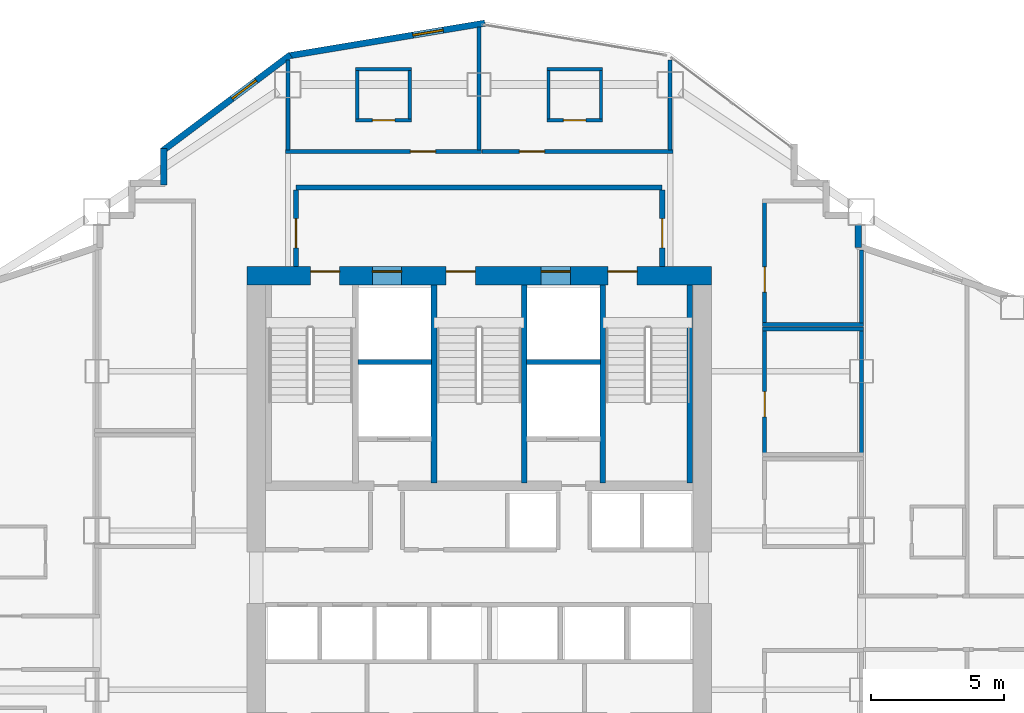
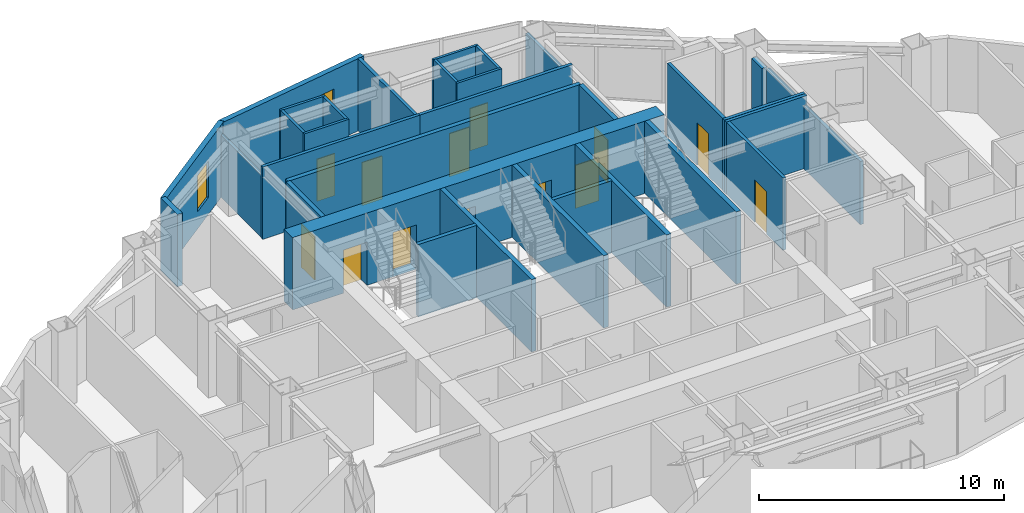
# One storey, part 10 of 13: 33 walls, 13 doors, 2 windows, 15 openings.
"""IFC4 building model written with IfcOpenShell, lengths in metres."""

from ifc_helpers import new_model, si_unit, direction, frame, frame_2d, origin, place, context, subcontext, project, spatial, rectangle, extrude, material, layer, layer_set, type_object, element, fill, save


model = new_model("IFC4")

# Units and contexts
model_context = context("Model", 3, precision=1e-05, world=origin(), true_north=direction((0.0, 1.0)))
body_context = subcontext(model_context, "Body", "Model", "MODEL_VIEW")
ifc_project = project(units=[si_unit("LENGTHUNIT", "METRE"), si_unit("AREAUNIT", "SQUARE_METRE"), si_unit("VOLUMEUNIT", "CUBIC_METRE"), si_unit("PLANEANGLEUNIT", "RADIAN"), si_unit("MASSUNIT", "GRAM", prefix="KILO")], contexts=[model_context])

# Site, building, storey
site_placement = place(None, origin())
site = spatial("IfcSite", under=ifc_project, at=site_placement, CompositionType="ELEMENT")
building_placement = place(site_placement, origin())
building = spatial("IfcBuilding", under=site, at=building_placement, Name="Haolan Belvedere Tower", CompositionType="ELEMENT")
storey_placement = place(building_placement, frame((0.0, 0.0, 117.39990234375)))
storey = spatial("IfcBuildingStorey", under=building, at=storey_placement, Name="L29", CompositionType="ELEMENT", Elevation=117.39990234375)

# Wall, openings, doors
ifc_material_1 = material(Name="Concrete C60/75", Category="concrete")
ifc_layer_1 = layer(ifc_material_1, 0.699951171875, Name="Concrete C60/75")
ifc_layer_set_1 = layer_set([ifc_layer_1], Name="Concrete C60/75")
wall_type_1 = type_object("IfcWallType", Name="WL-CORE-700", PredefinedType="SHEAR", material=ifc_layer_set_1)
wall_1_placement = place(storey_placement, frame((29.64990234375, 43.199951171875, 0.0), z_axis=(0.0, 0.0, 1.0), x_axis=(1.0, 0.0, 0.0)))
wall_1 = element("IfcWall", 1, at=wall_1_placement, inside=storey, type_object=wall_type_1, Name="L29 central core north shear wall", PredefinedType="SHEAR", context=body_context, shape_type="SweptSolid", body=[
    extrude(rectangle(XDim=17.5, YDim=0.699951171875, at=frame_2d((8.75, 0.0))), origin(), (0.0, 0.0, 1.0), 3.60009765625),
])
opening_1_placement = place(wall_1_placement, frame((2.39990234375, 0.0, 0.0)))
opening_1 = element("IfcOpeningElement", 2, at=opening_1_placement, cuts=wall_1, Name="Opening FD-03", PredefinedType="OPENING", context=body_context, shape_type="SweptSolid", body=[
    extrude(rectangle(XDim=1.10009765625, YDim=2.14990234375, at=frame_2d((0.550048828125, 1.074951171875))), frame((0.0, 0.35986328125, 0.0), z_axis=(0.0, -1.0, 0.0), x_axis=(1.0, 0.0, 0.0)), (0.0, 0.0, 1.0), 0.719970703125),
])
opening_2_placement = place(wall_1_placement, frame((7.510009765625, 0.0, 0.0)))
opening_2 = element("IfcOpeningElement", 3, at=opening_2_placement, cuts=wall_1, Name="Opening FD-03", PredefinedType="OPENING", context=body_context, shape_type="SweptSolid", body=[
    extrude(rectangle(XDim=1.10009765625, YDim=2.14990234375, at=frame_2d((0.550048828125, 1.074951171875))), frame((0.0, 0.35986328125, 0.0), z_axis=(0.0, -1.0, 0.0), x_axis=(1.0, 0.0, 0.0)), (0.0, 0.0, 1.0), 0.719970703125),
])
opening_3_placement = place(wall_1_placement, frame((13.60009765625, 0.0, 0.0)))
opening_3 = element("IfcOpeningElement", 4, at=opening_3_placement, cuts=wall_1, Name="Opening FD-03", PredefinedType="OPENING", context=body_context, shape_type="SweptSolid", body=[
    extrude(rectangle(XDim=1.10009765625, YDim=2.14990234375, at=frame_2d((0.550048828125, 1.074951171875))), frame((0.0, 0.35986328125, 0.0), z_axis=(0.0, -1.0, 0.0), x_axis=(1.0, 0.0, 0.0)), (0.0, 0.0, 1.0), 0.719970703125),
])
opening_4_placement = place(wall_1_placement, frame((4.72998046875, 0.0, 0.0)))
opening_4 = element("IfcOpeningElement", 5, at=opening_4_placement, cuts=wall_1, Name="Opening LD-01", PredefinedType="OPENING", context=body_context, shape_type="SweptSolid", body=[
    extrude(rectangle(XDim=1.10009765625, YDim=2.199951171875, at=frame_2d((0.550048828125, 1.10009765625))), frame((0.0, 0.35986328125, 0.0), z_axis=(0.0, -1.0, 0.0), x_axis=(1.0, 0.0, 0.0)), (0.0, 0.0, 1.0), 0.719970703125),
])
opening_5_placement = place(wall_1_placement, frame((11.090087890625, 0.0, 0.0)))
opening_5 = element("IfcOpeningElement", 6, at=opening_5_placement, cuts=wall_1, Name="Opening LD-01", PredefinedType="OPENING", context=body_context, shape_type="SweptSolid", body=[
    extrude(rectangle(XDim=1.10009765625, YDim=2.199951171875, at=frame_2d((0.550048828125, 1.10009765625))), frame((0.0, 0.35986328125, 0.0), z_axis=(0.0, -1.0, 0.0), x_axis=(1.0, 0.0, 0.0)), (0.0, 0.0, 1.0), 0.719970703125),
])
ifc_material_2 = material(Name="Galvanised fire-rated steel", Category="steel")
door_type_1 = type_object("IfcDoorType", Name="DR-FD90-1100", OperationType="NOTDEFINED", PredefinedType="DOOR", material=ifc_material_2)
door_1_placement = place(opening_1_placement, origin())
door_1 = element("IfcDoor", 7, at=door_1_placement, inside=storey, type_object=door_type_1, Name="L29 door CD-L29-ST1", OperationType="SINGLE_SWING_LEFT", OverallHeight=2.14990234375, OverallWidth=1.10009765625, PredefinedType="DOOR", context=body_context, shape_type="SweptSolid", body=[
    extrude(rectangle(XDim=1.10009765625, YDim=2.14990234375, at=frame_2d((0.550048828125, 1.074951171875))), frame((0.0, 0.18505859375, 0.0), z_axis=(0.0, -1.0, 0.0), x_axis=(1.0, 0.0, 0.0)), (0.0, 0.0, 1.0), 0.050048828125),
])
fill(opening_1, door_1)
door_2_placement = place(opening_2_placement, origin())
door_2 = element("IfcDoor", 8, at=door_2_placement, inside=storey, type_object=door_type_1, Name="L29 door CD-L29-ST3", OperationType="SINGLE_SWING_LEFT", OverallHeight=2.14990234375, OverallWidth=1.10009765625, PredefinedType="DOOR", context=body_context, shape_type="SweptSolid", body=[
    extrude(rectangle(XDim=1.10009765625, YDim=2.14990234375, at=frame_2d((0.550048828125, 1.074951171875))), frame((0.0, 0.18505859375, 0.0), z_axis=(0.0, -1.0, 0.0), x_axis=(1.0, 0.0, 0.0)), (0.0, 0.0, 1.0), 0.050048828125),
])
fill(opening_2, door_2)
door_3_placement = place(opening_3_placement, origin())
door_3 = element("IfcDoor", 9, at=door_3_placement, inside=storey, type_object=door_type_1, Name="L29 door CD-L29-ST2", OperationType="SINGLE_SWING_RIGHT", OverallHeight=2.14990234375, OverallWidth=1.10009765625, PredefinedType="DOOR", context=body_context, shape_type="SweptSolid", body=[
    extrude(rectangle(XDim=1.10009765625, YDim=2.14990234375, at=frame_2d((0.550048828125, 1.074951171875))), frame((0.0, 0.18505859375, 0.0), z_axis=(0.0, -1.0, 0.0), x_axis=(1.0, 0.0, 0.0)), (0.0, 0.0, 1.0), 0.050048828125),
])
fill(opening_3, door_3)
ifc_material_3 = material(Name="Brushed champagne stainless steel 316L", Category="steel")
door_type_2 = type_object("IfcDoorType", Name="DR-LIFT-1100", OperationType="SLIDING_TO_LEFT", PredefinedType="DOOR", material=ifc_material_3)
door_4_placement = place(opening_4_placement, origin())
door_4 = element("IfcDoor", 10, at=door_4_placement, inside=storey, type_object=door_type_2, Name="L29 door LD-L29-FF1", OperationType="SLIDING_TO_LEFT", OverallHeight=2.199951171875, OverallWidth=1.10009765625, PredefinedType="DOOR", context=body_context, shape_type="SweptSolid", body=[
    extrude(rectangle(XDim=1.10009765625, YDim=2.199951171875, at=frame_2d((0.550048828125, 1.10009765625))), frame((0.0, 0.18505859375, 0.0), z_axis=(0.0, -1.0, 0.0), x_axis=(1.0, 0.0, 0.0)), (0.0, 0.0, 1.0), 0.050048828125),
])
fill(opening_4, door_4)
door_5_placement = place(opening_5_placement, origin())
door_5 = element("IfcDoor", 11, at=door_5_placement, inside=storey, type_object=door_type_2, Name="L29 door LD-L29-FF2", OperationType="SLIDING_TO_LEFT", OverallHeight=2.199951171875, OverallWidth=1.10009765625, PredefinedType="DOOR", context=body_context, shape_type="SweptSolid", body=[
    extrude(rectangle(XDim=1.10009765625, YDim=2.199951171875, at=frame_2d((0.550048828125, 1.10009765625))), frame((0.0, 0.18505859375, 0.0), z_axis=(0.0, -1.0, 0.0), x_axis=(1.0, 0.0, 0.0)), (0.0, 0.0, 1.0), 0.050048828125),
])
fill(opening_5, door_5)

# Wall
ifc_material_4 = material(Name="Precast concrete C40/50", Category="concrete")
ifc_layer_2 = layer(ifc_material_4, 0.239990234375, Name="Precast concrete C40/50")
ifc_layer_set_2 = layer_set([ifc_layer_2], Name="Precast concrete C40/50")
wall_type_2 = type_object("IfcWallType", Name="WL-EXT-240", PredefinedType="SOLIDWALL", material=ifc_layer_set_2)
wall_2_placement = place(storey_placement, frame((52.679931640625, 44.258544921875, 0.0), z_axis=(0.0, 0.0, 1.0), x_axis=(0.0, 1.0, 0.0)))
element("IfcWall", 12, at=wall_2_placement, inside=storey, type_object=wall_type_2, Name="L29 pale-metal exterior spandrel wall 21.1", PredefinedType="SOLIDWALL", context=body_context, shape_type="SweptSolid", body=[
    extrude(rectangle(XDim=0.849365234375, YDim=0.239990234375, at=frame_2d((0.4248046875, 0.0))), origin(), (0.0, 0.0, 1.0), 3.14501953125),
])

# Wall, opening, window
wall_3_placement = place(storey_placement, frame((38.621826171875, 52.71533203125, 0.0), z_axis=(0.0, 0.0, 1.0), x_axis=(-0.98639129485, -0.164414760418, 0.0)))
wall_3 = element("IfcWall", 13, at=wall_3_placement, inside=storey, type_object=wall_type_2, Name="L29 pale-metal exterior spandrel wall 28.1", PredefinedType="SOLIDWALL", context=body_context, shape_type="SweptSolid", body=[
    extrude(rectangle(XDim=7.530029296875, YDim=0.239990234375, at=frame_2d((3.76513671875, 0.0))), origin(), (0.0, 0.0, 1.0), 3.60009765625),
])
opening_6_placement = place(wall_3_placement, frame((1.60009765625, 0.0, 0.85009765625)))
opening_6 = element("IfcOpeningElement", 14, at=opening_6_placement, cuts=wall_3, Name="Opening W-02", PredefinedType="OPENING", context=body_context, shape_type="SweptSolid", body=[
    extrude(rectangle(XDim=1.14990234375, YDim=1.800048828125, at=frame_2d((0.574951171875, 0.89990234375))), frame((0.0, 0.1298828125, 0.0), z_axis=(0.0, -1.0, 0.0), x_axis=(1.0, 0.0, 0.0)), (0.0, 0.0, 1.0), 0.260009765625),
])
ifc_material_5 = material(Name="Anodised aluminium 6063-T6 and Low-E glass", Category="aluminium")
window_type = type_object("IfcWindowType", Name="WN-DECO-Z2", PartitioningType="SINGLE_PANEL", PredefinedType="WINDOW", material=ifc_material_5)
window_1_placement = place(opening_6_placement, origin())
window_1 = element("IfcWindow", 15, at=window_1_placement, inside=storey, type_object=window_type, Name="L29 Art Deco chevron window 1", OverallHeight=1.800048828125, OverallWidth=1.14990234375, PartitioningType="SINGLE_PANEL", PredefinedType="WINDOW", context=body_context, shape_type="SweptSolid", body=[
    extrude(rectangle(XDim=1.14990234375, YDim=1.800048828125, at=frame_2d((0.574951171875, 0.89990234375))), frame((0.0, 0.030029296875, 0.0), z_axis=(0.0, -1.0, 0.0), x_axis=(1.0, 0.0, 0.0)), (0.0, 0.0, 1.0), 0.06005859375),
])
fill(opening_6, window_1)

wall_4_placement = place(storey_placement, frame((31.29248046875, 51.519287109375, 0.0), z_axis=(0.0, 0.0, 1.0), x_axis=(-0.8, -0.6, 0.0)))
wall_4 = element("IfcWall", 16, at=wall_4_placement, inside=storey, type_object=wall_type_2, Name="L29 pale-metal exterior spandrel wall 29.1", PredefinedType="SOLIDWALL", context=body_context, shape_type="SweptSolid", body=[
    extrude(rectangle(XDim=6.0205078125, YDim=0.239990234375, at=frame_2d((3.01025390625, 0.0))), origin(), (0.0, 0.0, 1.0), 3.60009765625),
])
opening_7_placement = place(wall_4_placement, frame((1.60009765625, 0.0, 0.85009765625)))
opening_7 = element("IfcOpeningElement", 17, at=opening_7_placement, cuts=wall_4, Name="Opening W-02", PredefinedType="OPENING", context=body_context, shape_type="SweptSolid", body=[
    extrude(rectangle(XDim=1.14990234375, YDim=1.800048828125, at=frame_2d((0.574951171875, 0.89990234375))), frame((0.0, 0.1298828125, 0.0), z_axis=(0.0, -1.0, 0.0), x_axis=(1.0, 0.0, 0.0)), (0.0, 0.0, 1.0), 0.260009765625),
])
window_2_placement = place(opening_7_placement, origin())
window_2 = element("IfcWindow", 18, at=window_2_placement, inside=storey, type_object=window_type, Name="L29 Art Deco chevron window 1", OverallHeight=1.800048828125, OverallWidth=1.14990234375, PartitioningType="SINGLE_PANEL", PredefinedType="WINDOW", context=body_context, shape_type="SweptSolid", body=[
    extrude(rectangle(XDim=1.14990234375, YDim=1.800048828125, at=frame_2d((0.574951171875, 0.89990234375))), frame((0.0, 0.030029296875, 0.0), z_axis=(0.0, -1.0, 0.0), x_axis=(1.0, 0.0, 0.0)), (0.0, 0.0, 1.0), 0.06005859375),
])
fill(opening_7, window_2)

# Walls
wall_5_placement = place(storey_placement, frame((26.52001953125, 47.9951171875, 0.0), z_axis=(0.0, 0.0, 1.0), x_axis=(0.0, -1.0, 0.0)))
element("IfcWall", 19, at=wall_5_placement, inside=storey, type_object=wall_type_2, Name="L29 pale-metal exterior spandrel wall 30.1", PredefinedType="SOLIDWALL", context=body_context, shape_type="SweptSolid", body=[
    extrude(rectangle(XDim=1.3701171875, YDim=0.239990234375, at=frame_2d((0.68505859375, 0.0))), origin(), (0.0, 0.0, 1.0), 3.60009765625),
])
ifc_material_6 = material(Name="Concrete C40/50", Category="concrete")
ifc_layer_3 = layer(ifc_material_6, 0.199951171875, Name="Concrete C40/50")
ifc_layer_set_3 = layer_set([ifc_layer_3], Name="Concrete C40/50")
wall_type_3 = type_object("IfcWallType", Name="WL-FIRE-200", PredefinedType="SOLIDWALL", material=ifc_layer_set_3)
wall_6_placement = place(storey_placement, frame((31.5, 46.52001953125, 0.0), z_axis=(0.0, 0.0, 1.0), x_axis=(1.0, 0.0, 0.0)))
element("IfcWall", 20, at=wall_6_placement, inside=storey, type_object=wall_type_3, Name="L29 interior partition IW-L29-FFL-N", PredefinedType="SOLIDWALL", context=body_context, shape_type="SweptSolid", body=[
    extrude(rectangle(XDim=13.800048828125, YDim=0.199951171875, at=frame_2d((6.89990234375, 0.0))), origin(), (0.0, 0.0, 1.0), 3.60009765625),
])

# Wall, opening, door
wall_7_placement = place(storey_placement, frame((31.5, 43.550048828125, 0.0), z_axis=(0.0, 0.0, 1.0), x_axis=(0.0, 1.0, 0.0)))
wall_7 = element("IfcWall", 21, at=wall_7_placement, inside=storey, type_object=wall_type_3, Name="L29 interior partition IW-L29-FFL-W", PredefinedType="SOLIDWALL", context=body_context, shape_type="SweptSolid", body=[
    extrude(rectangle(XDim=2.885009765625, YDim=0.199951171875, at=frame_2d((1.4423828125, 0.0))), origin(), (0.0, 0.0, 1.0), 3.60009765625),
])
opening_8_placement = place(wall_7_placement, frame((1.800048828125, 0.0, 0.0), z_axis=(0.0, 0.0, 1.0), x_axis=(-1.0, 0.0, 0.0)))
opening_8 = element("IfcOpeningElement", 22, at=opening_8_placement, cuts=wall_7, Name="Opening FD-03", PredefinedType="OPENING", context=body_context, shape_type="SweptSolid", body=[
    extrude(rectangle(XDim=1.10009765625, YDim=2.14990234375, at=frame_2d((0.550048828125, 1.074951171875))), frame((0.0, 0.10986328125, 0.0), z_axis=(0.0, -1.0, 0.0), x_axis=(1.0, 0.0, 0.0)), (0.0, 0.0, 1.0), 0.219970703125),
])
door_6_placement = place(opening_8_placement, origin())
door_6 = element("IfcDoor", 23, at=door_6_placement, inside=storey, type_object=door_type_1, Name="L29 door ID-L29-FFL-DW", OperationType="SINGLE_SWING_LEFT", OverallHeight=2.14990234375, OverallWidth=1.10009765625, PredefinedType="DOOR", context=body_context, shape_type="SweptSolid", body=[
    extrude(rectangle(XDim=1.10009765625, YDim=2.14990234375, at=frame_2d((0.550048828125, 1.074951171875))), frame((0.0, 0.02490234375, 0.0), z_axis=(0.0, -1.0, 0.0), x_axis=(1.0, 0.0, 0.0)), (0.0, 0.0, 1.0), 0.050048828125),
])
fill(opening_8, door_6)

wall_8_placement = place(storey_placement, frame((45.300048828125, 43.550048828125, 0.0), z_axis=(0.0, 0.0, 1.0), x_axis=(0.0, 1.0, 0.0)))
wall_8 = element("IfcWall", 24, at=wall_8_placement, inside=storey, type_object=wall_type_3, Name="L29 interior partition IW-L29-FFL-E", PredefinedType="SOLIDWALL", context=body_context, shape_type="SweptSolid", body=[
    extrude(rectangle(XDim=2.885009765625, YDim=0.199951171875, at=frame_2d((1.4423828125, 0.0))), origin(), (0.0, 0.0, 1.0), 3.60009765625),
])
opening_9_placement = place(wall_8_placement, frame((0.699951171875, 0.0, 0.0)))
opening_9 = element("IfcOpeningElement", 25, at=opening_9_placement, cuts=wall_8, Name="Opening FD-03", PredefinedType="OPENING", context=body_context, shape_type="SweptSolid", body=[
    extrude(rectangle(XDim=1.10009765625, YDim=2.14990234375, at=frame_2d((0.550048828125, 1.074951171875))), frame((0.0, 0.10986328125, 0.0), z_axis=(0.0, -1.0, 0.0), x_axis=(1.0, 0.0, 0.0)), (0.0, 0.0, 1.0), 0.219970703125),
])
door_7_placement = place(opening_9_placement, origin())
door_7 = element("IfcDoor", 26, at=door_7_placement, inside=storey, type_object=door_type_1, Name="L29 door ID-L29-FFL-DE", OperationType="SINGLE_SWING_RIGHT", OverallHeight=2.14990234375, OverallWidth=1.10009765625, PredefinedType="DOOR", context=body_context, shape_type="SweptSolid", body=[
    extrude(rectangle(XDim=1.10009765625, YDim=2.14990234375, at=frame_2d((0.550048828125, 1.074951171875))), frame((0.0, 0.02490234375, 0.0), z_axis=(0.0, -1.0, 0.0), x_axis=(1.0, 0.0, 0.0)), (0.0, 0.0, 1.0), 0.050048828125),
])
fill(opening_9, door_7)

# Wall
ifc_material_7 = material(Name="Double gypsum acoustic stud partition", Category="masonry")
ifc_layer_4 = layer(ifc_material_7, 0.14990234375, Name="Double gypsum acoustic stud partition")
ifc_layer_set_4 = layer_set([ifc_layer_4], Name="Double gypsum acoustic stud partition")
wall_type_4 = type_object("IfcWallType", Name="WL-PART-150", PredefinedType="PARTITIONING", material=ifc_layer_set_4)
wall_9_placement = place(storey_placement, frame((49.080078125, 41.199951171875, 0.0), z_axis=(0.0, 0.0, 1.0), x_axis=(1.0, 0.0, 0.0)))
element("IfcWall", 27, at=wall_9_placement, inside=storey, type_object=wall_type_4, Name="L29 interior partition IW-L29-STY-N", PredefinedType="PARTITIONING", context=body_context, shape_type="SweptSolid", body=[
    extrude(rectangle(XDim=3.7998046875, YDim=0.14990234375, at=frame_2d((1.89990234375, 0.0))), origin(), (0.0, 0.0, 1.0), 3.60009765625),
])

# Wall, opening, door
wall_10_placement = place(storey_placement, frame((49.159912109375, 36.52001953125, 0.0), z_axis=(0.0, 0.0, 1.0), x_axis=(0.0, 1.0, 0.0)))
wall_10 = element("IfcWall", 28, at=wall_10_placement, inside=storey, type_object=wall_type_4, Name="L29 interior partition IW-L29-STY-W", PredefinedType="PARTITIONING", context=body_context, shape_type="SweptSolid", body=[
    extrude(rectangle(XDim=4.619873046875, YDim=0.14990234375, at=frame_2d((2.31005859375, 0.0))), origin(), (0.0, 0.0, 1.0), 3.60009765625),
])
opening_10_placement = place(wall_10_placement, frame((1.360107421875, 0.0, 0.0)))
opening_10 = element("IfcOpeningElement", 29, at=opening_10_placement, cuts=wall_10, Name="Opening ID-03", PredefinedType="OPENING", context=body_context, shape_type="SweptSolid", body=[
    extrude(rectangle(XDim=0.949951171875, YDim=2.1201171875, at=frame_2d((0.47509765625, 1.06005859375))), frame((0.0, 0.0849609375, 0.0), z_axis=(0.0, -1.0, 0.0), x_axis=(1.0, 0.0, 0.0)), (0.0, 0.0, 1.0), 0.169921875),
])
ifc_material_8 = material(Name="Painted solid-core timber", Category="wood")
door_type_3 = type_object("IfcDoorType", Name="DR-INT-950", OperationType="NOTDEFINED", PredefinedType="DOOR", material=ifc_material_8)
door_8_placement = place(opening_10_placement, origin())
door_8 = element("IfcDoor", 30, at=door_8_placement, inside=storey, type_object=door_type_3, Name="L29 door ID-L29-STY", OperationType="SINGLE_SWING_RIGHT", OverallHeight=2.1201171875, OverallWidth=0.949951171875, PredefinedType="DOOR", context=body_context, shape_type="SweptSolid", body=[
    extrude(rectangle(XDim=0.949951171875, YDim=2.1201171875, at=frame_2d((0.47509765625, 1.06005859375))), frame((0.0, 0.02490234375, 0.0), z_axis=(0.0, -1.0, 0.0), x_axis=(1.0, 0.0, 0.0)), (0.0, 0.0, 1.0), 0.050048828125),
])
fill(opening_10, door_8)

# Walls
wall_11_placement = place(storey_placement, frame((52.800048828125, 36.52001953125, 0.0), z_axis=(0.0, 0.0, 1.0), x_axis=(0.0, 1.0, 0.0)))
element("IfcWall", 31, at=wall_11_placement, inside=storey, type_object=wall_type_4, Name="L29 interior partition IW-L29-STY-E", PredefinedType="PARTITIONING", context=body_context, shape_type="SweptSolid", body=[
    extrude(rectangle(XDim=4.619873046875, YDim=0.14990234375, at=frame_2d((2.31005859375, 0.0))), origin(), (0.0, 0.0, 1.0), 3.14501953125),
])
wall_12_placement = place(storey_placement, frame((49.080078125, 41.360107421875, 0.0), z_axis=(0.0, 0.0, 1.0), x_axis=(1.0, 0.0, 0.0)))
element("IfcWall", 32, at=wall_12_placement, inside=storey, type_object=wall_type_4, Name="L29 interior partition IW-L29-PNT-S", PredefinedType="PARTITIONING", context=body_context, shape_type="SweptSolid", body=[
    extrude(rectangle(XDim=3.7998046875, YDim=0.14990234375, at=frame_2d((1.89990234375, 0.0))), origin(), (0.0, 0.0, 1.0), 3.60009765625),
])

# Wall, opening, door
wall_13_placement = place(storey_placement, frame((49.159912109375, 41.419921875, 0.0), z_axis=(0.0, 0.0, 1.0), x_axis=(0.0, 1.0, 0.0)))
wall_13 = element("IfcWall", 33, at=wall_13_placement, inside=storey, type_object=wall_type_4, Name="L29 interior partition IW-L29-PNT-W", PredefinedType="PARTITIONING", context=body_context, shape_type="SweptSolid", body=[
    extrude(rectangle(XDim=4.5400390625, YDim=0.14990234375, at=frame_2d((2.27001953125, 0.0))), origin(), (0.0, 0.0, 1.0), 3.60009765625),
])
opening_11_placement = place(wall_13_placement, frame((1.159912109375, 0.0, 0.0)))
opening_11 = element("IfcOpeningElement", 34, at=opening_11_placement, cuts=wall_13, Name="Opening ID-03", PredefinedType="OPENING", context=body_context, shape_type="SweptSolid", body=[
    extrude(rectangle(XDim=0.949951171875, YDim=2.1201171875, at=frame_2d((0.47509765625, 1.06005859375))), frame((0.0, 0.0849609375, 0.0), z_axis=(0.0, -1.0, 0.0), x_axis=(1.0, 0.0, 0.0)), (0.0, 0.0, 1.0), 0.169921875),
])
door_9_placement = place(opening_11_placement, origin())
door_9 = element("IfcDoor", 35, at=door_9_placement, inside=storey, type_object=door_type_3, Name="L29 door ID-L29-PNT", OperationType="SINGLE_SWING_LEFT", OverallHeight=2.1201171875, OverallWidth=0.949951171875, PredefinedType="DOOR", context=body_context, shape_type="SweptSolid", body=[
    extrude(rectangle(XDim=0.949951171875, YDim=2.1201171875, at=frame_2d((0.47509765625, 1.06005859375))), frame((0.0, 0.02490234375, 0.0), z_axis=(0.0, -1.0, 0.0), x_axis=(1.0, 0.0, 0.0)), (0.0, 0.0, 1.0), 0.050048828125),
])
fill(opening_11, door_9)

# Wall
wall_14_placement = place(storey_placement, frame((52.800048828125, 41.419921875, 0.0), z_axis=(0.0, 0.0, 1.0), x_axis=(0.0, 1.0, 0.0)))
element("IfcWall", 36, at=wall_14_placement, inside=storey, type_object=wall_type_4, Name="L29 interior partition IW-L29-PNT-E", PredefinedType="PARTITIONING", context=body_context, shape_type="SweptSolid", body=[
    extrude(rectangle(XDim=2.742919921875, YDim=0.14990234375, at=frame_2d((1.37158203125, 0.0))), origin(), (0.0, 0.0, 1.0), 3.14501953125),
])

# Wall, opening, door
wall_15_placement = place(storey_placement, frame((31.10009765625, 47.8798828125, 0.0), z_axis=(0.0, 0.0, 1.0), x_axis=(1.0, 0.0, 0.0)))
wall_15 = element("IfcWall", 37, at=wall_15_placement, inside=storey, type_object=wall_type_4, Name="L29 interior partition IW-L29-KN2-S", PredefinedType="PARTITIONING", context=body_context, shape_type="SweptSolid", body=[
    extrude(rectangle(XDim=7.39990234375, YDim=0.14990234375, at=frame_2d((3.699951171875, 0.0))), origin(), (0.0, 0.0, 1.0), 3.60009765625),
])
opening_12_placement = place(wall_15_placement, frame((4.713623046875, 0.0, 0.0)))
opening_12 = element("IfcOpeningElement", 38, at=opening_12_placement, cuts=wall_15, Name="Opening ID-02", PredefinedType="OPENING", context=body_context, shape_type="SweptSolid", body=[
    extrude(rectangle(XDim=0.949951171875, YDim=2.14990234375, at=frame_2d((0.47509765625, 1.074951171875))), frame((0.0, 0.0849609375, 0.0), z_axis=(0.0, -1.0, 0.0), x_axis=(1.0, 0.0, 0.0)), (0.0, 0.0, 1.0), 0.169921875),
])
ifc_material_9 = material(Name="Acoustic oak veneer fire-rated timber", Category="wood")
door_type_4 = type_object("IfcDoorType", Name="DR-GUEST-950", OperationType="NOTDEFINED", PredefinedType="DOOR", material=ifc_material_9)
door_10_placement = place(opening_12_placement, origin())
door_10 = element("IfcDoor", 39, at=door_10_placement, inside=storey, type_object=door_type_4, Name="L29 door ID-L29-KN2-ENT", OperationType="SINGLE_SWING_LEFT", OverallHeight=2.14990234375, OverallWidth=0.949951171875, PredefinedType="DOOR", context=body_context, shape_type="SweptSolid", body=[
    extrude(rectangle(XDim=0.949951171875, YDim=2.14990234375, at=frame_2d((0.47509765625, 1.074951171875))), frame((0.0, 0.02490234375, 0.0), z_axis=(0.0, -1.0, 0.0), x_axis=(1.0, 0.0, 0.0)), (0.0, 0.0, 1.0), 0.050048828125),
])
fill(opening_12, door_10)

# Walls
wall_16_placement = place(storey_placement, frame((31.199951171875, 47.93994140625, 0.0), z_axis=(0.0, 0.0, 1.0), x_axis=(0.0, 1.0, 0.0)))
element("IfcWall", 40, at=wall_16_placement, inside=storey, type_object=wall_type_4, Name="L29 interior partition IW-L29-KN2-W", PredefinedType="PARTITIONING", context=body_context, shape_type="SweptSolid", body=[
    extrude(rectangle(XDim=3.378662109375, YDim=0.14990234375, at=frame_2d((1.689453125, 0.0))), origin(), (0.0, 0.0, 1.0), 3.085205078125),
])
wall_17_placement = place(storey_placement, frame((38.39990234375, 47.93994140625, 0.0), z_axis=(0.0, 0.0, 1.0), x_axis=(0.0, 1.0, 0.0)))
element("IfcWall", 41, at=wall_17_placement, inside=storey, type_object=wall_type_4, Name="L29 interior partition IW-L29-KN2-E", PredefinedType="PARTITIONING", context=body_context, shape_type="SweptSolid", body=[
    extrude(rectangle(XDim=4.632080078125, YDim=0.14990234375, at=frame_2d((2.31591796875, 0.0))), origin(), (0.0, 0.0, 1.0), 3.60009765625),
])

# Wall, opening, door
wall_18_placement = place(storey_placement, frame((38.501953125, 47.8798828125, 0.0), z_axis=(0.0, 0.0, 1.0), x_axis=(1.0, 0.0, 0.0)))
wall_18 = element("IfcWall", 42, at=wall_18_placement, inside=storey, type_object=wall_type_4, Name="L29 interior partition IW-L29-KN3-S", PredefinedType="PARTITIONING", context=body_context, shape_type="SweptSolid", body=[
    extrude(rectangle(XDim=7.197998046875, YDim=0.14990234375, at=frame_2d((3.59912109375, 0.0))), origin(), (0.0, 0.0, 1.0), 3.60009765625),
])
opening_13_placement = place(wall_18_placement, frame((1.41748046875, 0.0, 0.0)))
opening_13 = element("IfcOpeningElement", 43, at=opening_13_placement, cuts=wall_18, Name="Opening ID-02", PredefinedType="OPENING", context=body_context, shape_type="SweptSolid", body=[
    extrude(rectangle(XDim=0.949951171875, YDim=2.14990234375, at=frame_2d((0.47509765625, 1.074951171875))), frame((0.0, 0.0849609375, 0.0), z_axis=(0.0, -1.0, 0.0), x_axis=(1.0, 0.0, 0.0)), (0.0, 0.0, 1.0), 0.169921875),
])
door_11_placement = place(opening_13_placement, origin())
door_11 = element("IfcDoor", 44, at=door_11_placement, inside=storey, type_object=door_type_4, Name="L29 door ID-L29-KN3-ENT", OperationType="SINGLE_SWING_RIGHT", OverallHeight=2.14990234375, OverallWidth=0.949951171875, PredefinedType="DOOR", context=body_context, shape_type="SweptSolid", body=[
    extrude(rectangle(XDim=0.949951171875, YDim=2.14990234375, at=frame_2d((0.47509765625, 1.074951171875))), frame((0.0, 0.02490234375, 0.0), z_axis=(0.0, -1.0, 0.0), x_axis=(1.0, 0.0, 0.0)), (0.0, 0.0, 1.0), 0.050048828125),
])
fill(opening_13, door_11)

# Walls
wall_19_placement = place(storey_placement, frame((45.60009765625, 47.93994140625, 0.0), z_axis=(0.0, 0.0, 1.0), x_axis=(0.0, 1.0, 0.0)))
element("IfcWall", 45, at=wall_19_placement, inside=storey, type_object=wall_type_4, Name="L29 interior partition IW-L29-KN3-E", PredefinedType="PARTITIONING", context=body_context, shape_type="SweptSolid", body=[
    extrude(rectangle(XDim=3.39501953125, YDim=0.14990234375, at=frame_2d((1.697509765625, 0.0))), origin(), (0.0, 0.0, 1.0), 3.085205078125),
])
ifc_layer_5 = layer(ifc_material_4, 0.179931640625, Name="Precast concrete C40/50")
ifc_layer_set_5 = layer_set([ifc_layer_5], Name="Precast concrete C40/50")
wall_type_5 = type_object("IfcWallType", Name="WL-SHAFT-180", PredefinedType="SOLIDWALL", material=ifc_layer_set_5)
for number, where, z_axis, x_axis, name in (
    (46, (33.8349609375, 39.949951171875, 0.0), (0.0, 0.0, 1.0), (1.0, 0.0, 0.0), "L29 interior partition IW-L29-FF1-S"),
    (47, (40.195068359375, 39.949951171875, 0.0), (0.0, 0.0, 1.0), (1.0, 0.0, 0.0), "L29 interior partition IW-L29-FF2-S"),
):
    element("IfcWall", number, at=place(storey_placement, frame(where, z_axis=z_axis, x_axis=x_axis)), inside=storey, type_object=wall_type_5, Name=name, PredefinedType="SOLIDWALL", context=body_context, shape_type="SweptSolid", body=[
        extrude(rectangle(XDim=2.77001953125, YDim=0.179931640625, at=frame_2d((1.385009765625, 0.0))), origin(), (0.0, 0.0, 1.0), 3.60009765625),
    ])
ifc_material_10 = material(Name="Concrete C50/60", Category="concrete")
ifc_layer_6 = layer(ifc_material_10, 0.219970703125, Name="Concrete C50/60")
ifc_layer_set_6 = layer_set([ifc_layer_6], Name="Concrete C50/60")
wall_type_6 = type_object("IfcWallType", Name="WL-STAIR-220", PredefinedType="SHEAR", material=ifc_layer_set_6)
for number, where, z_axis, x_axis, name in (
    (48, (36.699951171875, 35.389892578125, 0.0), (0.0, 0.0, 1.0), (0.0, 1.0, 0.0), "L29 structural stair core wall ST3W"),
    (49, (40.10009765625, 35.389892578125, 0.0), (0.0, 0.0, 1.0), (0.0, 1.0, 0.0), "L29 structural stair core wall ST3E"),
    (50, (43.06005859375, 35.389892578125, 0.0), (0.0, 0.0, 1.0), (0.0, 1.0, 0.0), "L29 structural stair core wall ST2W"),
    (51, (46.337890625, 35.389892578125, 0.0), (0.0, 0.0, 1.0), (0.0, 1.0, 0.0), "L29 structural stair core wall ST2E"),
):
    element("IfcWall", number, at=place(storey_placement, frame(where, z_axis=z_axis, x_axis=x_axis)), inside=storey, type_object=wall_type_6, Name=name, PredefinedType="SHEAR", context=body_context, shape_type="SweptSolid", body=[
        extrude(rectangle(XDim=7.460205078125, YDim=0.219970703125, at=frame_2d((3.72998046875, 0.0))), origin(), (0.0, 0.0, 1.0), 3.60009765625),
    ])
ifc_material_11 = material(Name="Moisture-resistant gypsum tile partition", Category="masonry")
ifc_layer_7 = layer(ifc_material_11, 0.1201171875, Name="Moisture-resistant gypsum tile partition")
ifc_layer_set_7 = layer_set([ifc_layer_7], Name="Moisture-resistant gypsum tile partition")
wall_type_7 = type_object("IfcWallType", Name="WL-WET-120", PredefinedType="PARTITIONING", material=ifc_layer_set_7)
wall_20_placement = place(storey_placement, frame((33.75, 50.97998046875, 0.0), z_axis=(0.0, 0.0, 1.0), x_axis=(1.0, 0.0, 0.0)))
element("IfcWall", 52, at=wall_20_placement, inside=storey, type_object=wall_type_7, Name="L29 interior partition IW-L29-KN2-BN", PredefinedType="PARTITIONING", context=body_context, shape_type="SweptSolid", body=[
    extrude(rectangle(XDim=2.10009765625, YDim=0.1201171875, at=frame_2d((1.050048828125, 0.0))), origin(), (0.0, 0.0, 1.0), 3.60009765625),
])

# Wall, opening, door
wall_21_placement = place(storey_placement, frame((33.75, 49.06005859375, 0.0), z_axis=(0.0, 0.0, 1.0), x_axis=(1.0, 0.0, 0.0)))
wall_21 = element("IfcWall", 53, at=wall_21_placement, inside=storey, type_object=wall_type_7, Name="L29 interior partition IW-L29-KN2-BS", PredefinedType="PARTITIONING", context=body_context, shape_type="SweptSolid", body=[
    extrude(rectangle(XDim=2.10009765625, YDim=0.1201171875, at=frame_2d((1.050048828125, 0.0))), origin(), (0.0, 0.0, 1.0), 3.60009765625),
])
opening_14_placement = place(wall_21_placement, frame((0.625, 0.0, 0.0)))
opening_14 = element("IfcOpeningElement", 54, at=opening_14_placement, cuts=wall_21, Name="Opening ID-05", PredefinedType="OPENING", context=body_context, shape_type="SweptSolid", body=[
    extrude(rectangle(XDim=0.85009765625, YDim=2.10009765625, at=frame_2d((0.425048828125, 1.050048828125))), frame((0.0, 0.070068359375, 0.0), z_axis=(0.0, -1.0, 0.0), x_axis=(1.0, 0.0, 0.0)), (0.0, 0.0, 1.0), 0.14013671875),
])
ifc_material_12 = material(Name="Moisture-resistant lacquered timber", Category="wood")
door_type_5 = type_object("IfcDoorType", Name="DR-BATH-850", OperationType="NOTDEFINED", PredefinedType="DOOR", material=ifc_material_12)
door_12_placement = place(opening_14_placement, origin())
door_12 = element("IfcDoor", 55, at=door_12_placement, inside=storey, type_object=door_type_5, Name="L29 door ID-L29-KN2-BATH", OperationType="SINGLE_SWING_RIGHT", OverallHeight=2.10009765625, OverallWidth=0.85009765625, PredefinedType="DOOR", context=body_context, shape_type="SweptSolid", body=[
    extrude(rectangle(XDim=0.85009765625, YDim=2.10009765625, at=frame_2d((0.425048828125, 1.050048828125))), frame((0.0, 0.02490234375, 0.0), z_axis=(0.0, -1.0, 0.0), x_axis=(1.0, 0.0, 0.0)), (0.0, 0.0, 1.0), 0.050048828125),
])
fill(opening_14, door_12)

# Walls
for number, where, z_axis, x_axis, name in (
    (56, (33.81005859375, 49.10498046875, 0.0), (0.0, 0.0, 1.0), (0.0, 1.0, 0.0), "L29 interior partition IW-L29-KN2-BW"),
    (57, (35.7900390625, 49.10498046875, 0.0), (0.0, 0.0, 1.0), (0.0, 1.0, 0.0), "L29 interior partition IW-L29-KN2-BE"),
):
    element("IfcWall", number, at=place(storey_placement, frame(where, z_axis=z_axis, x_axis=x_axis)), inside=storey, type_object=wall_type_7, Name=name, PredefinedType="PARTITIONING", context=body_context, shape_type="SweptSolid", body=[
        extrude(rectangle(XDim=1.830078125, YDim=0.1201171875, at=frame_2d((0.9150390625, 0.0))), origin(), (0.0, 0.0, 1.0), 3.60009765625),
    ])
wall_22_placement = place(storey_placement, frame((40.949951171875, 50.97998046875, 0.0), z_axis=(0.0, 0.0, 1.0), x_axis=(1.0, 0.0, 0.0)))
element("IfcWall", 58, at=wall_22_placement, inside=storey, type_object=wall_type_7, Name="L29 interior partition IW-L29-KN3-BN", PredefinedType="PARTITIONING", context=body_context, shape_type="SweptSolid", body=[
    extrude(rectangle(XDim=2.10009765625, YDim=0.1201171875, at=frame_2d((1.050048828125, 0.0))), origin(), (0.0, 0.0, 1.0), 3.60009765625),
])

# Wall, opening, door
wall_23_placement = place(storey_placement, frame((40.949951171875, 49.06005859375, 0.0), z_axis=(0.0, 0.0, 1.0), x_axis=(1.0, 0.0, 0.0)))
wall_23 = element("IfcWall", 59, at=wall_23_placement, inside=storey, type_object=wall_type_7, Name="L29 interior partition IW-L29-KN3-BS", PredefinedType="PARTITIONING", context=body_context, shape_type="SweptSolid", body=[
    extrude(rectangle(XDim=2.10009765625, YDim=0.1201171875, at=frame_2d((1.050048828125, 0.0))), origin(), (0.0, 0.0, 1.0), 3.60009765625),
])
opening_15_placement = place(wall_23_placement, frame((0.625, 0.0, 0.0)))
opening_15 = element("IfcOpeningElement", 60, at=opening_15_placement, cuts=wall_23, Name="Opening ID-05", PredefinedType="OPENING", context=body_context, shape_type="SweptSolid", body=[
    extrude(rectangle(XDim=0.85009765625, YDim=2.10009765625, at=frame_2d((0.425048828125, 1.050048828125))), frame((0.0, 0.070068359375, 0.0), z_axis=(0.0, -1.0, 0.0), x_axis=(1.0, 0.0, 0.0)), (0.0, 0.0, 1.0), 0.14013671875),
])
door_13_placement = place(opening_15_placement, origin())
door_13 = element("IfcDoor", 61, at=door_13_placement, inside=storey, type_object=door_type_5, Name="L29 door ID-L29-KN3-BATH", OperationType="SINGLE_SWING_LEFT", OverallHeight=2.10009765625, OverallWidth=0.85009765625, PredefinedType="DOOR", context=body_context, shape_type="SweptSolid", body=[
    extrude(rectangle(XDim=0.85009765625, YDim=2.10009765625, at=frame_2d((0.425048828125, 1.050048828125))), frame((0.0, 0.02490234375, 0.0), z_axis=(0.0, -1.0, 0.0), x_axis=(1.0, 0.0, 0.0)), (0.0, 0.0, 1.0), 0.050048828125),
])
fill(opening_15, door_13)

# Walls
for number, where, z_axis, x_axis, name in (
    (62, (41.010009765625, 49.10498046875, 0.0), (0.0, 0.0, 1.0), (0.0, 1.0, 0.0), "L29 interior partition IW-L29-KN3-BW"),
    (63, (42.989990234375, 49.10498046875, 0.0), (0.0, 0.0, 1.0), (0.0, 1.0, 0.0), "L29 interior partition IW-L29-KN3-BE"),
):
    element("IfcWall", number, at=place(storey_placement, frame(where, z_axis=z_axis, x_axis=x_axis)), inside=storey, type_object=wall_type_7, Name=name, PredefinedType="PARTITIONING", context=body_context, shape_type="SweptSolid", body=[
        extrude(rectangle(XDim=1.830078125, YDim=0.1201171875, at=frame_2d((0.9150390625, 0.0))), origin(), (0.0, 0.0, 1.0), 3.60009765625),
    ])

save(model, "model.ifc")
